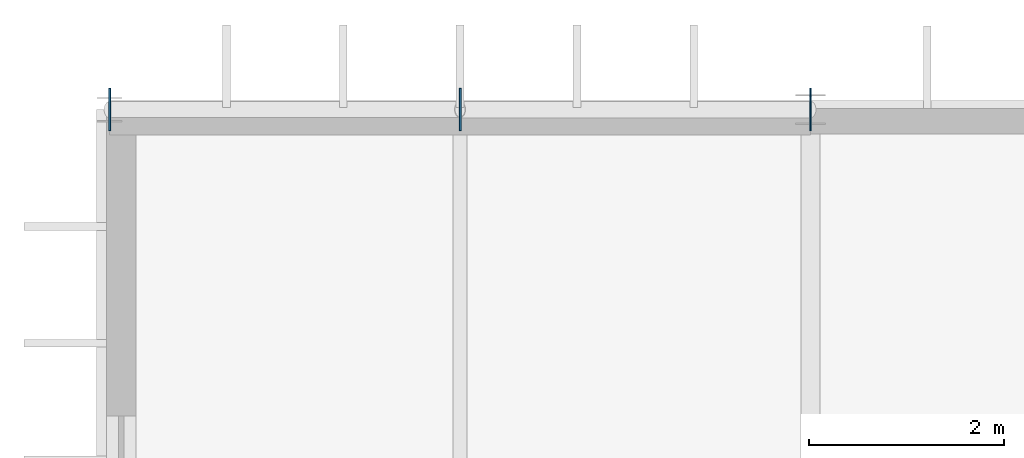
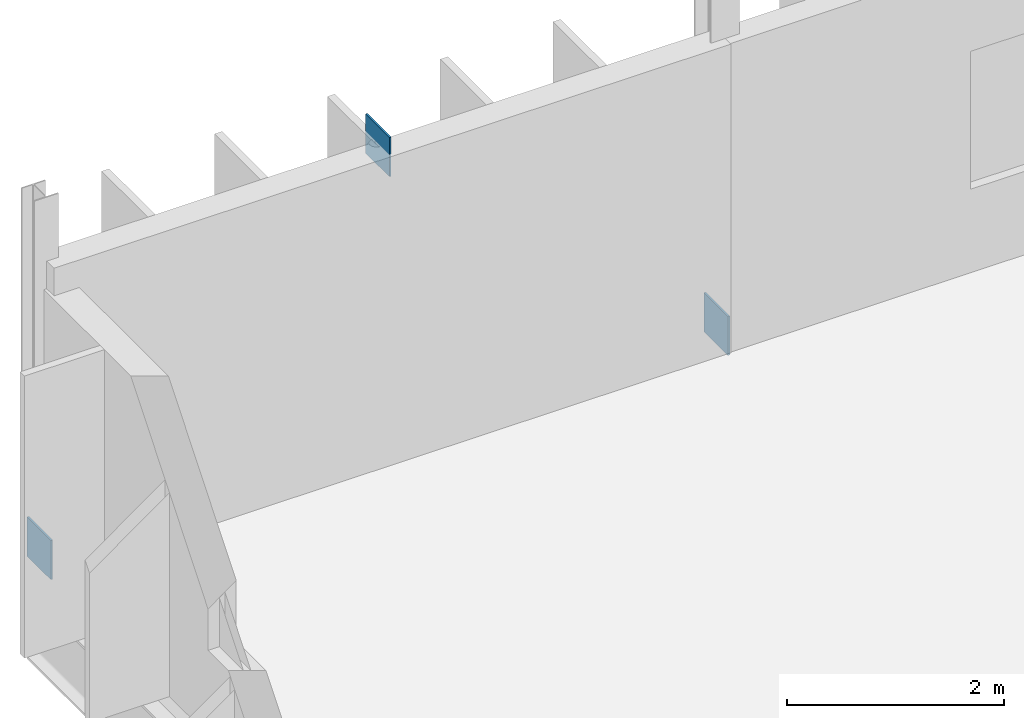
# One storey, part 40 of 61: 3 plates.
"""IFC4 building model written with IfcOpenShell, lengths in metres."""

from ifc_helpers import new_model, si_unit, direction, frame, origin, origin_2d, place, context, subcontext, project, spatial, rectangle, extrude, material, layer, layer_set, type_object, element, save


model = new_model("IFC4")

# Units and contexts
model_context = context("Model", 3, precision=1e-05, world=origin(), true_north=direction((0.0, 1.0)))
body_context = subcontext(model_context, "Body", "Model", "MODEL_VIEW")
ifc_project = project(units=[si_unit("LENGTHUNIT", "METRE"), si_unit("AREAUNIT", "SQUARE_METRE"), si_unit("VOLUMEUNIT", "CUBIC_METRE"), si_unit("PLANEANGLEUNIT", "RADIAN"), si_unit("MASSUNIT", "GRAM", prefix="KILO")], contexts=[model_context])

# Site, building, storey
site_placement = place(None, origin())
site = spatial("IfcSite", under=ifc_project, at=site_placement, CompositionType="ELEMENT")
building_placement = place(site_placement, origin())
building = spatial("IfcBuilding", under=site, at=building_placement, Name="Qelthora Terrace Specialist Clinic", CompositionType="ELEMENT")
storey_placement = place(building_placement, frame((0.0, 0.0, 13.199951171875)))
storey = spatial("IfcBuildingStorey", under=building, at=storey_placement, Name="L03", CompositionType="ELEMENT", Elevation=13.199951171875)

# Plates
ifc_material = material(Name="Steel S355", Category="steel")
ifc_layer = layer(ifc_material, 0.02001953125)
ifc_layer_set = layer_set([ifc_layer], Name="Steel S355")
plate_type = type_object("IfcPlateType", Name="PLT-GUS-480X480X20", PredefinedType="USERDEFINED", material=ifc_layer_set)
for number, where, z_axis, x_axis, name in (
    (1, (0.0, 109.199951171875, -0.0400390625), (0.0, 0.0, 1.0), (1.0, 0.0, 0.0), "Steel truss node plate GPLT-0158"),
    (2, (3.60009765625, 109.199951171875, 3.22998046875), (0.0, 0.0, 1.0), (1.0, 0.0, 0.0), "Steel truss node plate GPLT-0159"),
    (3, (7.199951171875, 109.199951171875, -0.0400390625), (0.0, 0.0, 1.0), (1.0, 0.0, 0.0), "Steel truss node plate GPLT-0160"),
):
    element("IfcPlate", number, at=place(storey_placement, frame(where, z_axis=z_axis, x_axis=x_axis)), inside=storey, type_object=plate_type, Name=name, ObjectType="GUSSET PLATE", PredefinedType="USERDEFINED", context=body_context, shape_type="SweptSolid", body=[
        extrude(rectangle(XDim=0.02001953125, YDim=0.43994140625, at=origin_2d()), origin(), (0.0, 0.0, 1.0), 0.43994140625),
    ])

save(model, "model.ifc")
